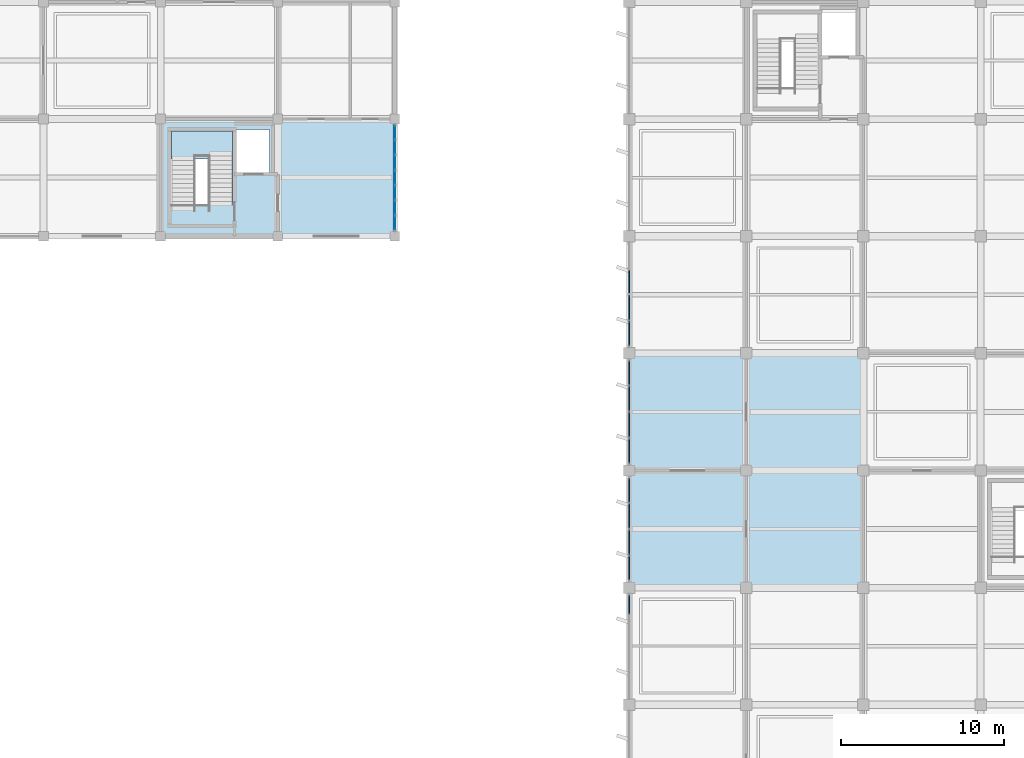
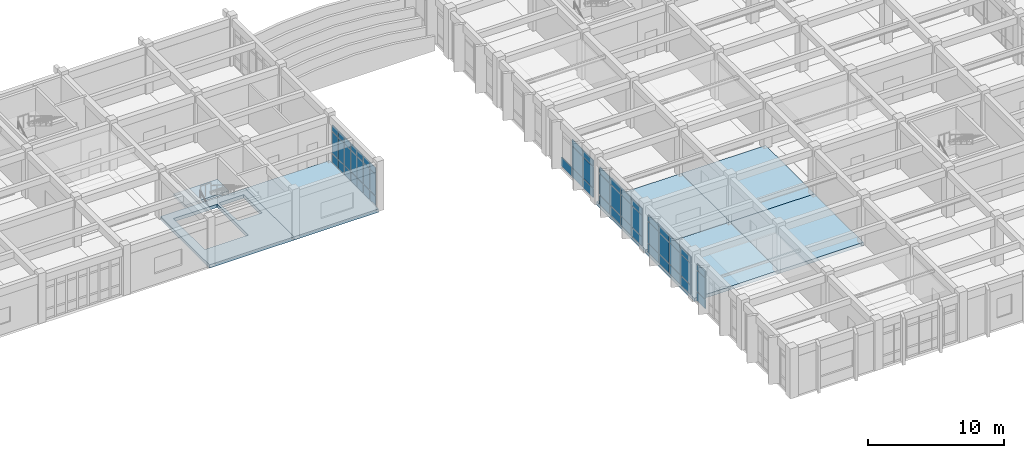
# One storey, part 47 of 81: 55 plates, 7 slabs, 6 elements without a shape of their own.
"""IFC4 building model written with IfcOpenShell, lengths in metres."""

from ifc_helpers import new_model, si_unit, direction, frame, origin, origin_2d, place, context, subcontext, project, spatial, polyline, rectangle, outline, extrude, material, layer, layer_set, type_object, element, aggregate, save


model = new_model("IFC4")

# Units and contexts
model_context = context("Model", 3, precision=1e-05, world=origin(), true_north=direction((0.0, 1.0)))
body_context = subcontext(model_context, "Body", "Model", "MODEL_VIEW")
ifc_project = project(units=[si_unit("LENGTHUNIT", "METRE"), si_unit("AREAUNIT", "SQUARE_METRE"), si_unit("VOLUMEUNIT", "CUBIC_METRE"), si_unit("PLANEANGLEUNIT", "RADIAN"), si_unit("MASSUNIT", "GRAM", prefix="KILO")], contexts=[model_context])

# Site, building, storey
site_placement = place(None, origin())
site = spatial("IfcSite", under=ifc_project, at=site_placement, CompositionType="ELEMENT")
building_placement = place(site_placement, origin())
building = spatial("IfcBuilding", under=site, at=building_placement, Name="Kavelor Marine Aquarium", CompositionType="ELEMENT")
storey_placement = place(building_placement, frame((0.0, 0.0, 4.679931640625)))
storey = spatial("IfcBuildingStorey", under=building, at=storey_placement, Name="L01", CompositionType="ELEMENT", Elevation=4.679931640625)

# Curtain wall, plates
ifc_material_1 = material(Name="Thermally Broken Aluminium and Low-E Glass", Category="aluminium")
ifc_layer_1 = layer(ifc_material_1, 0.156005859375)
ifc_layer_set_1 = layer_set([ifc_layer_1], Name="CW-SYS2")
curtain_wall_type_1 = type_object("IfcCurtainWallType", Name="CW-SYS2", PredefinedType="USERDEFINED", material=ifc_layer_set_1)
curtain_wall_1_placement = place(storey_placement, origin())
curtain_wall_1 = element("IfcCurtainWall", 1, at=curtain_wall_1_placement, inside=storey, type_object=curtain_wall_type_1, Name="cw:y:L01:14_12", ObjectType="Curtain Wall", PredefinedType="USERDEFINED")
ifc_material_2 = material(Name="Solar-Control Double Low-E Glazing", Category="glass")
ifc_layer_2 = layer(ifc_material_2, 0.052001953125)
ifc_layer_set_2 = layer_set([ifc_layer_2], Name="CWP-14")
plate_type_1 = type_object("IfcPlateType", Name="CWP-14", PredefinedType="CURTAIN_PANEL", material=ifc_layer_set_2)
plate_1_placement = place(storey_placement, frame((104.0, 90.0263671875, 0.06494140625), z_axis=(0.0, 0.0, 1.0), x_axis=(0.0, 1.0, 0.0)))
plate_1 = element("IfcPlate", 2, at=plate_1_placement, type_object=plate_type_1, Name="CW02 panel 1.1", PredefinedType="CURTAIN_PANEL", context=body_context, shape_type="SweptSolid", body=[
    extrude(rectangle(XDim=0.83251953125, YDim=0.052001953125, at=origin_2d()), origin(), (0.0, 0.0, 1.0), 0.802490234375),
])
plate_2_placement = place(storey_placement, frame((104.0, 90.0263671875, 0.9326171875), z_axis=(0.0, 0.0, 1.0), x_axis=(0.0, 1.0, 0.0)))
plate_2 = element("IfcPlate", 3, at=plate_2_placement, type_object=plate_type_1, Name="CW02 panel 1.2", PredefinedType="CURTAIN_PANEL", context=body_context, shape_type="SweptSolid", body=[
    extrude(rectangle(XDim=0.83251953125, YDim=0.052001953125, at=origin_2d()), origin(), (0.0, 0.0, 1.0), 1.89501953125),
])
plate_3_placement = place(storey_placement, frame((104.0, 90.0263671875, 2.892578125), z_axis=(0.0, 0.0, 1.0), x_axis=(0.0, 1.0, 0.0)))
plate_3 = element("IfcPlate", 4, at=plate_3_placement, type_object=plate_type_1, Name="CW02 panel 1.3", PredefinedType="CURTAIN_PANEL", context=body_context, shape_type="SweptSolid", body=[
    extrude(rectangle(XDim=0.83251953125, YDim=0.052001953125, at=origin_2d()), origin(), (0.0, 0.0, 1.0), 0.552490234375),
])
plate_4_placement = place(storey_placement, frame((104.0, 90.93994140625, 0.06494140625), z_axis=(0.0, 0.0, 1.0), x_axis=(0.0, 1.0, 0.0)))
plate_4 = element("IfcPlate", 5, at=plate_4_placement, type_object=plate_type_1, Name="CW02 panel 2.1", PredefinedType="CURTAIN_PANEL", context=body_context, shape_type="SweptSolid", body=[
    extrude(rectangle(XDim=0.864990234375, YDim=0.052001953125, at=origin_2d()), origin(), (0.0, 0.0, 1.0), 0.802490234375),
])
plate_5_placement = place(storey_placement, frame((104.0, 90.93994140625, 0.9326171875), z_axis=(0.0, 0.0, 1.0), x_axis=(0.0, 1.0, 0.0)))
plate_5 = element("IfcPlate", 6, at=plate_5_placement, type_object=plate_type_1, Name="CW02 panel 2.2", PredefinedType="CURTAIN_PANEL", context=body_context, shape_type="SweptSolid", body=[
    extrude(rectangle(XDim=0.864990234375, YDim=0.052001953125, at=origin_2d()), origin(), (0.0, 0.0, 1.0), 1.89501953125),
])
plate_6_placement = place(storey_placement, frame((104.0, 90.93994140625, 2.892578125), z_axis=(0.0, 0.0, 1.0), x_axis=(0.0, 1.0, 0.0)))
plate_6 = element("IfcPlate", 7, at=plate_6_placement, type_object=plate_type_1, Name="CW02 panel 2.3", PredefinedType="CURTAIN_PANEL", context=body_context, shape_type="SweptSolid", body=[
    extrude(rectangle(XDim=0.864990234375, YDim=0.052001953125, at=origin_2d()), origin(), (0.0, 0.0, 1.0), 0.552490234375),
])
plate_7_placement = place(storey_placement, frame((104.0, 91.8701171875, 0.06494140625), z_axis=(0.0, 0.0, 1.0), x_axis=(0.0, 1.0, 0.0)))
plate_7 = element("IfcPlate", 8, at=plate_7_placement, type_object=plate_type_1, Name="CW02 panel 3.1", PredefinedType="CURTAIN_PANEL", context=body_context, shape_type="SweptSolid", body=[
    extrude(rectangle(XDim=0.864990234375, YDim=0.052001953125, at=origin_2d()), origin(), (0.0, 0.0, 1.0), 0.802490234375),
])
plate_8_placement = place(storey_placement, frame((104.0, 91.8701171875, 0.9326171875), z_axis=(0.0, 0.0, 1.0), x_axis=(0.0, 1.0, 0.0)))
plate_8 = element("IfcPlate", 9, at=plate_8_placement, type_object=plate_type_1, Name="CW02 panel 3.2", PredefinedType="CURTAIN_PANEL", context=body_context, shape_type="SweptSolid", body=[
    extrude(rectangle(XDim=0.864990234375, YDim=0.052001953125, at=origin_2d()), origin(), (0.0, 0.0, 1.0), 1.89501953125),
])
plate_9_placement = place(storey_placement, frame((104.0, 91.8701171875, 2.892578125), z_axis=(0.0, 0.0, 1.0), x_axis=(0.0, 1.0, 0.0)))
plate_9 = element("IfcPlate", 10, at=plate_9_placement, type_object=plate_type_1, Name="CW02 panel 3.3", PredefinedType="CURTAIN_PANEL", context=body_context, shape_type="SweptSolid", body=[
    extrude(rectangle(XDim=0.864990234375, YDim=0.052001953125, at=origin_2d()), origin(), (0.0, 0.0, 1.0), 0.552490234375),
])
plate_10_placement = place(storey_placement, frame((104.0, 92.800048828125, 0.06494140625), z_axis=(0.0, 0.0, 1.0), x_axis=(0.0, 1.0, 0.0)))
plate_10 = element("IfcPlate", 11, at=plate_10_placement, type_object=plate_type_1, Name="CW02 panel 4.1", PredefinedType="CURTAIN_PANEL", context=body_context, shape_type="SweptSolid", body=[
    extrude(rectangle(XDim=0.864990234375, YDim=0.052001953125, at=origin_2d()), origin(), (0.0, 0.0, 1.0), 0.802490234375),
])
plate_11_placement = place(storey_placement, frame((104.0, 92.800048828125, 0.9326171875), z_axis=(0.0, 0.0, 1.0), x_axis=(0.0, 1.0, 0.0)))
plate_11 = element("IfcPlate", 12, at=plate_11_placement, type_object=plate_type_1, Name="CW02 panel 4.2", PredefinedType="CURTAIN_PANEL", context=body_context, shape_type="SweptSolid", body=[
    extrude(rectangle(XDim=0.864990234375, YDim=0.052001953125, at=origin_2d()), origin(), (0.0, 0.0, 1.0), 1.89501953125),
])
plate_12_placement = place(storey_placement, frame((104.0, 92.800048828125, 2.892578125), z_axis=(0.0, 0.0, 1.0), x_axis=(0.0, 1.0, 0.0)))
plate_12 = element("IfcPlate", 13, at=plate_12_placement, type_object=plate_type_1, Name="CW02 panel 4.3", PredefinedType="CURTAIN_PANEL", context=body_context, shape_type="SweptSolid", body=[
    extrude(rectangle(XDim=0.864990234375, YDim=0.052001953125, at=origin_2d()), origin(), (0.0, 0.0, 1.0), 0.552490234375),
])
plate_13_placement = place(storey_placement, frame((104.0, 93.72998046875, 0.06494140625), z_axis=(0.0, 0.0, 1.0), x_axis=(0.0, 1.0, 0.0)))
plate_13 = element("IfcPlate", 14, at=plate_13_placement, type_object=plate_type_1, Name="CW02 panel 5.1", PredefinedType="CURTAIN_PANEL", context=body_context, shape_type="SweptSolid", body=[
    extrude(rectangle(XDim=0.864990234375, YDim=0.052001953125, at=origin_2d()), origin(), (0.0, 0.0, 1.0), 0.802490234375),
])
plate_14_placement = place(storey_placement, frame((104.0, 93.72998046875, 0.9326171875), z_axis=(0.0, 0.0, 1.0), x_axis=(0.0, 1.0, 0.0)))
plate_14 = element("IfcPlate", 15, at=plate_14_placement, type_object=plate_type_1, Name="CW02 panel 5.2", PredefinedType="CURTAIN_PANEL", context=body_context, shape_type="SweptSolid", body=[
    extrude(rectangle(XDim=0.864990234375, YDim=0.052001953125, at=origin_2d()), origin(), (0.0, 0.0, 1.0), 1.89501953125),
])
plate_15_placement = place(storey_placement, frame((104.0, 93.72998046875, 2.892578125), z_axis=(0.0, 0.0, 1.0), x_axis=(0.0, 1.0, 0.0)))
plate_15 = element("IfcPlate", 16, at=plate_15_placement, type_object=plate_type_1, Name="CW02 panel 5.3", PredefinedType="CURTAIN_PANEL", context=body_context, shape_type="SweptSolid", body=[
    extrude(rectangle(XDim=0.864990234375, YDim=0.052001953125, at=origin_2d()), origin(), (0.0, 0.0, 1.0), 0.552490234375),
])
plate_16_placement = place(storey_placement, frame((104.0, 94.659912109375, 0.06494140625), z_axis=(0.0, 0.0, 1.0), x_axis=(0.0, 1.0, 0.0)))
plate_16 = element("IfcPlate", 17, at=plate_16_placement, type_object=plate_type_1, Name="CW02 panel 6.1", PredefinedType="CURTAIN_PANEL", context=body_context, shape_type="SweptSolid", body=[
    extrude(rectangle(XDim=0.864990234375, YDim=0.052001953125, at=origin_2d()), origin(), (0.0, 0.0, 1.0), 0.802490234375),
])
plate_17_placement = place(storey_placement, frame((104.0, 94.659912109375, 0.9326171875), z_axis=(0.0, 0.0, 1.0), x_axis=(0.0, 1.0, 0.0)))
plate_17 = element("IfcPlate", 18, at=plate_17_placement, type_object=plate_type_1, Name="CW02 panel 6.2", PredefinedType="CURTAIN_PANEL", context=body_context, shape_type="SweptSolid", body=[
    extrude(rectangle(XDim=0.864990234375, YDim=0.052001953125, at=origin_2d()), origin(), (0.0, 0.0, 1.0), 1.89501953125),
])
plate_18_placement = place(storey_placement, frame((104.0, 94.659912109375, 2.892578125), z_axis=(0.0, 0.0, 1.0), x_axis=(0.0, 1.0, 0.0)))
plate_18 = element("IfcPlate", 19, at=plate_18_placement, type_object=plate_type_1, Name="CW02 panel 6.3", PredefinedType="CURTAIN_PANEL", context=body_context, shape_type="SweptSolid", body=[
    extrude(rectangle(XDim=0.864990234375, YDim=0.052001953125, at=origin_2d()), origin(), (0.0, 0.0, 1.0), 0.552490234375),
])
plate_19_placement = place(storey_placement, frame((104.0, 95.57373046875, 0.06494140625), z_axis=(0.0, 0.0, 1.0), x_axis=(0.0, 1.0, 0.0)))
plate_19 = element("IfcPlate", 20, at=plate_19_placement, type_object=plate_type_1, Name="CW02 panel 7.1", PredefinedType="CURTAIN_PANEL", context=body_context, shape_type="SweptSolid", body=[
    extrude(rectangle(XDim=0.83251953125, YDim=0.052001953125, at=origin_2d()), origin(), (0.0, 0.0, 1.0), 0.802490234375),
])
plate_20_placement = place(storey_placement, frame((104.0, 95.57373046875, 0.9326171875), z_axis=(0.0, 0.0, 1.0), x_axis=(0.0, 1.0, 0.0)))
plate_20 = element("IfcPlate", 21, at=plate_20_placement, type_object=plate_type_1, Name="CW02 panel 7.2", PredefinedType="CURTAIN_PANEL", context=body_context, shape_type="SweptSolid", body=[
    extrude(rectangle(XDim=0.83251953125, YDim=0.052001953125, at=origin_2d()), origin(), (0.0, 0.0, 1.0), 1.89501953125),
])
plate_21_placement = place(storey_placement, frame((104.0, 95.57373046875, 2.892578125), z_axis=(0.0, 0.0, 1.0), x_axis=(0.0, 1.0, 0.0)))
plate_21 = element("IfcPlate", 22, at=plate_21_placement, type_object=plate_type_1, Name="CW02 panel 7.3", PredefinedType="CURTAIN_PANEL", context=body_context, shape_type="SweptSolid", body=[
    extrude(rectangle(XDim=0.83251953125, YDim=0.052001953125, at=origin_2d()), origin(), (0.0, 0.0, 1.0), 0.552490234375),
])
aggregate(curtain_wall_1, [plate_1, plate_2, plate_3, plate_4, plate_5, plate_6, plate_7, plate_8, plate_9, plate_10, plate_11, plate_12, plate_13, plate_14, plate_15, plate_16, plate_17, plate_18, plate_19, plate_20, plate_21])

ifc_material_3 = material(Name="Thermally Broken Aluminium and Low-E Glass", Category="aluminium")
ifc_layer_3 = layer(ifc_material_3, 0.2119140625)
ifc_layer_set_3 = layer_set([ifc_layer_3], Name="CW-SYS9")
curtain_wall_type_2 = type_object("IfcCurtainWallType", Name="CW-SYS9", PredefinedType="USERDEFINED", material=ifc_layer_set_3)
curtain_wall_2_placement = place(storey_placement, origin())
curtain_wall_2 = element("IfcCurtainWall", 23, at=curtain_wall_2_placement, inside=storey, type_object=curtain_wall_type_2, Name="cw:y:L01:16_08", ObjectType="Curtain Wall", PredefinedType="USERDEFINED")
ifc_material_4 = material(Name="Solar-Control Double Low-E Glazing", Category="glass")
ifc_layer_4 = layer(ifc_material_4, 0.06591796875)
ifc_layer_set_4 = layer_set([ifc_layer_4], Name="CWP-21")
plate_type_2 = type_object("IfcPlateType", Name="CWP-21", PredefinedType="CURTAIN_PANEL", material=ifc_layer_set_4)
plate_22_placement = place(storey_placement, frame((118.39990234375, 66.549072265625, 0.06494140625), z_axis=(0.0, 0.0, 1.0), x_axis=(0.0, -1.0, 0.0)))
plate_22 = element("IfcPlate", 24, at=plate_22_placement, type_object=plate_type_2, Name="CW09 panel 1.1", PredefinedType="CURTAIN_PANEL", context=body_context, shape_type="SweptSolid", body=[
    extrude(rectangle(XDim=1.19189453125, YDim=0.06591796875, at=origin_2d()), origin(), (0.0, 0.0, 1.0), 0.802490234375),
])
plate_23_placement = place(storey_placement, frame((118.39990234375, 66.549072265625, 0.9326171875), z_axis=(0.0, 0.0, 1.0), x_axis=(0.0, -1.0, 0.0)))
plate_23 = element("IfcPlate", 25, at=plate_23_placement, type_object=plate_type_2, Name="CW09 panel 1.2", PredefinedType="CURTAIN_PANEL", context=body_context, shape_type="SweptSolid", body=[
    extrude(rectangle(XDim=1.19189453125, YDim=0.06591796875, at=origin_2d()), origin(), (0.0, 0.0, 1.0), 1.875),
])
plate_24_placement = place(storey_placement, frame((118.39990234375, 66.549072265625, 2.87255859375), z_axis=(0.0, 0.0, 1.0), x_axis=(0.0, -1.0, 0.0)))
plate_24 = element("IfcPlate", 26, at=plate_24_placement, type_object=plate_type_2, Name="CW09 panel 1.3", PredefinedType="CURTAIN_PANEL", context=body_context, shape_type="SweptSolid", body=[
    extrude(rectangle(XDim=1.19189453125, YDim=0.06591796875, at=origin_2d()), origin(), (0.0, 0.0, 1.0), 0.552490234375),
])
aggregate(curtain_wall_2, [plate_22, plate_23, plate_24])

ifc_material_5 = material(Name="Thermally Broken Aluminium and Low-E Glass", Category="aluminium")
ifc_layer_5 = layer(ifc_material_5, 0.219970703125)
ifc_layer_set_5 = layer_set([ifc_layer_5], Name="CW-SYS10")
curtain_wall_type_3 = type_object("IfcCurtainWallType", Name="CW-SYS10", PredefinedType="USERDEFINED", material=ifc_layer_set_5)
curtain_wall_3_placement = place(storey_placement, origin())
curtain_wall_3 = element("IfcCurtainWall", 27, at=curtain_wall_3_placement, inside=storey, type_object=curtain_wall_type_3, Name="cw:y:L01:16_09", ObjectType="Curtain Wall", PredefinedType="USERDEFINED")
ifc_material_6 = material(Name="Solar-Control Double Low-E Glazing", Category="glass")
ifc_layer_6 = layer(ifc_material_6, 0.068115234375)
ifc_layer_set_6 = layer_set([ifc_layer_6], Name="CWP-22")
plate_type_3 = type_object("IfcPlateType", Name="CWP-22", PredefinedType="CURTAIN_PANEL", material=ifc_layer_set_6)
plate_25_placement = place(storey_placement, frame((118.39990234375, 73.5849609375, 0.06005859375), z_axis=(0.0, 0.0, 1.0), x_axis=(0.0, -1.0, 0.0)))
plate_25 = element("IfcPlate", 28, at=plate_25_placement, type_object=plate_type_3, Name="CW10 panel 1.1", PredefinedType="CURTAIN_PANEL", context=body_context, shape_type="SweptSolid", body=[
    extrude(rectangle(XDim=1.489990234375, YDim=0.068115234375, at=origin_2d()), origin(), (0.0, 0.0, 1.0), 0.81005859375),
])
plate_26_placement = place(storey_placement, frame((118.39990234375, 73.5849609375, 0.93017578125), z_axis=(0.0, 0.0, 1.0), x_axis=(0.0, -1.0, 0.0)))
plate_26 = element("IfcPlate", 29, at=plate_26_placement, type_object=plate_type_3, Name="CW10 panel 1.2", PredefinedType="CURTAIN_PANEL", context=body_context, shape_type="SweptSolid", body=[
    extrude(rectangle(XDim=1.489990234375, YDim=0.068115234375, at=origin_2d()), origin(), (0.0, 0.0, 1.0), 1.89990234375),
])
plate_27_placement = place(storey_placement, frame((118.39990234375, 73.5849609375, 2.89013671875), z_axis=(0.0, 0.0, 1.0), x_axis=(0.0, -1.0, 0.0)))
plate_27 = element("IfcPlate", 30, at=plate_27_placement, type_object=plate_type_3, Name="CW10 panel 1.3", PredefinedType="CURTAIN_PANEL", context=body_context, shape_type="SweptSolid", body=[
    extrude(rectangle(XDim=1.489990234375, YDim=0.068115234375, at=origin_2d()), origin(), (0.0, 0.0, 1.0), 0.56005859375),
])
plate_28_placement = place(storey_placement, frame((118.39990234375, 72.001220703125, 0.06005859375), z_axis=(0.0, 0.0, 1.0), x_axis=(0.0, -1.0, 0.0)))
plate_28 = element("IfcPlate", 31, at=plate_28_placement, type_object=plate_type_3, Name="CW10 panel 2.1", PredefinedType="CURTAIN_PANEL", context=body_context, shape_type="SweptSolid", body=[
    extrude(rectangle(XDim=1.527587890625, YDim=0.068115234375, at=origin_2d()), origin(), (0.0, 0.0, 1.0), 0.81005859375),
])
plate_29_placement = place(storey_placement, frame((118.39990234375, 72.001220703125, 0.93017578125), z_axis=(0.0, 0.0, 1.0), x_axis=(0.0, -1.0, 0.0)))
plate_29 = element("IfcPlate", 32, at=plate_29_placement, type_object=plate_type_3, Name="CW10 panel 2.2", PredefinedType="CURTAIN_PANEL", context=body_context, shape_type="SweptSolid", body=[
    extrude(rectangle(XDim=1.527587890625, YDim=0.068115234375, at=origin_2d()), origin(), (0.0, 0.0, 1.0), 1.89990234375),
])
plate_30_placement = place(storey_placement, frame((118.39990234375, 72.001220703125, 2.89013671875), z_axis=(0.0, 0.0, 1.0), x_axis=(0.0, -1.0, 0.0)))
plate_30 = element("IfcPlate", 33, at=plate_30_placement, type_object=plate_type_3, Name="CW10 panel 2.3", PredefinedType="CURTAIN_PANEL", context=body_context, shape_type="SweptSolid", body=[
    extrude(rectangle(XDim=1.527587890625, YDim=0.068115234375, at=origin_2d()), origin(), (0.0, 0.0, 1.0), 0.56005859375),
])
plate_31_placement = place(storey_placement, frame((118.39990234375, 70.398681640625, 0.06005859375), z_axis=(0.0, 0.0, 1.0), x_axis=(0.0, -1.0, 0.0)))
plate_31 = element("IfcPlate", 34, at=plate_31_placement, type_object=plate_type_3, Name="CW10 panel 3.1", PredefinedType="CURTAIN_PANEL", context=body_context, shape_type="SweptSolid", body=[
    extrude(rectangle(XDim=1.527587890625, YDim=0.068115234375, at=origin_2d()), origin(), (0.0, 0.0, 1.0), 0.81005859375),
])
plate_32_placement = place(storey_placement, frame((118.39990234375, 70.398681640625, 0.93017578125), z_axis=(0.0, 0.0, 1.0), x_axis=(0.0, -1.0, 0.0)))
plate_32 = element("IfcPlate", 35, at=plate_32_placement, type_object=plate_type_3, Name="CW10 panel 3.2", PredefinedType="CURTAIN_PANEL", context=body_context, shape_type="SweptSolid", body=[
    extrude(rectangle(XDim=1.527587890625, YDim=0.068115234375, at=origin_2d()), origin(), (0.0, 0.0, 1.0), 1.89990234375),
])
plate_33_placement = place(storey_placement, frame((118.39990234375, 70.398681640625, 2.89013671875), z_axis=(0.0, 0.0, 1.0), x_axis=(0.0, -1.0, 0.0)))
plate_33 = element("IfcPlate", 36, at=plate_33_placement, type_object=plate_type_3, Name="CW10 panel 3.3", PredefinedType="CURTAIN_PANEL", context=body_context, shape_type="SweptSolid", body=[
    extrude(rectangle(XDim=1.527587890625, YDim=0.068115234375, at=origin_2d()), origin(), (0.0, 0.0, 1.0), 0.56005859375),
])
plate_34_placement = place(storey_placement, frame((118.39990234375, 68.81494140625, 0.06005859375), z_axis=(0.0, 0.0, 1.0), x_axis=(0.0, -1.0, 0.0)))
plate_34 = element("IfcPlate", 37, at=plate_34_placement, type_object=plate_type_3, Name="CW10 panel 4.1", PredefinedType="CURTAIN_PANEL", context=body_context, shape_type="SweptSolid", body=[
    extrude(rectangle(XDim=1.489990234375, YDim=0.068115234375, at=origin_2d()), origin(), (0.0, 0.0, 1.0), 0.81005859375),
])
plate_35_placement = place(storey_placement, frame((118.39990234375, 68.81494140625, 0.93017578125), z_axis=(0.0, 0.0, 1.0), x_axis=(0.0, -1.0, 0.0)))
plate_35 = element("IfcPlate", 38, at=plate_35_placement, type_object=plate_type_3, Name="CW10 panel 4.2", PredefinedType="CURTAIN_PANEL", context=body_context, shape_type="SweptSolid", body=[
    extrude(rectangle(XDim=1.489990234375, YDim=0.068115234375, at=origin_2d()), origin(), (0.0, 0.0, 1.0), 1.89990234375),
])
plate_36_placement = place(storey_placement, frame((118.39990234375, 68.81494140625, 2.89013671875), z_axis=(0.0, 0.0, 1.0), x_axis=(0.0, -1.0, 0.0)))
plate_36 = element("IfcPlate", 39, at=plate_36_placement, type_object=plate_type_3, Name="CW10 panel 4.3", PredefinedType="CURTAIN_PANEL", context=body_context, shape_type="SweptSolid", body=[
    extrude(rectangle(XDim=1.489990234375, YDim=0.068115234375, at=origin_2d()), origin(), (0.0, 0.0, 1.0), 0.56005859375),
])
aggregate(curtain_wall_3, [plate_25, plate_26, plate_27, plate_28, plate_29, plate_30, plate_31, plate_32, plate_33, plate_34, plate_35, plate_36])

ifc_material_7 = material(Name="Thermally Broken Aluminium and Low-E Glass", Category="aluminium")
ifc_layer_7 = layer(ifc_material_7, 0.22802734375)
ifc_layer_set_7 = layer_set([ifc_layer_7], Name="CW-SYS11")
curtain_wall_type_4 = type_object("IfcCurtainWallType", Name="CW-SYS11", PredefinedType="USERDEFINED", material=ifc_layer_set_7)
curtain_wall_4_placement = place(storey_placement, origin())
curtain_wall_4 = element("IfcCurtainWall", 40, at=curtain_wall_4_placement, inside=storey, type_object=curtain_wall_type_4, Name="cw:y:L01:16_10", ObjectType="Curtain Wall", PredefinedType="USERDEFINED")
ifc_material_8 = material(Name="Solar-Control Double Low-E Glazing", Category="glass")
ifc_layer_8 = layer(ifc_material_8, 0.070068359375)
ifc_layer_set_8 = layer_set([ifc_layer_8], Name="CWP-23")
plate_type_4 = type_object("IfcPlateType", Name="CWP-23", PredefinedType="CURTAIN_PANEL", material=ifc_layer_set_8)
plate_37_placement = place(storey_placement, frame((118.39990234375, 80.78759765625, 0.06005859375), z_axis=(0.0, 0.0, 1.0), x_axis=(0.0, -1.0, 0.0)))
plate_37 = element("IfcPlate", 41, at=plate_37_placement, type_object=plate_type_4, Name="CW11 panel 1.1", PredefinedType="CURTAIN_PANEL", context=body_context, shape_type="SweptSolid", body=[
    extrude(rectangle(XDim=1.5048828125, YDim=0.070068359375, at=origin_2d()), origin(), (0.0, 0.0, 1.0), 0.81005859375),
])
plate_38_placement = place(storey_placement, frame((118.39990234375, 80.78759765625, 0.93017578125), z_axis=(0.0, 0.0, 1.0), x_axis=(0.0, -1.0, 0.0)))
plate_38 = element("IfcPlate", 42, at=plate_38_placement, type_object=plate_type_4, Name="CW11 panel 1.2", PredefinedType="CURTAIN_PANEL", context=body_context, shape_type="SweptSolid", body=[
    extrude(rectangle(XDim=1.5048828125, YDim=0.070068359375, at=origin_2d()), origin(), (0.0, 0.0, 1.0), 1.8798828125),
])
plate_39_placement = place(storey_placement, frame((118.39990234375, 80.78759765625, 2.8701171875), z_axis=(0.0, 0.0, 1.0), x_axis=(0.0, -1.0, 0.0)))
plate_39 = element("IfcPlate", 43, at=plate_39_placement, type_object=plate_type_4, Name="CW11 panel 1.3", PredefinedType="CURTAIN_PANEL", context=body_context, shape_type="SweptSolid", body=[
    extrude(rectangle(XDim=1.5048828125, YDim=0.070068359375, at=origin_2d()), origin(), (0.0, 0.0, 1.0), 0.56005859375),
])
plate_40_placement = place(storey_placement, frame((118.39990234375, 79.201171875, 0.06005859375), z_axis=(0.0, 0.0, 1.0), x_axis=(0.0, -1.0, 0.0)))
plate_40 = element("IfcPlate", 44, at=plate_40_placement, type_object=plate_type_4, Name="CW11 panel 2.1", PredefinedType="CURTAIN_PANEL", context=body_context, shape_type="SweptSolid", body=[
    extrude(rectangle(XDim=1.53759765625, YDim=0.070068359375, at=origin_2d()), origin(), (0.0, 0.0, 1.0), 0.81005859375),
])
plate_41_placement = place(storey_placement, frame((118.39990234375, 79.201171875, 0.93017578125), z_axis=(0.0, 0.0, 1.0), x_axis=(0.0, -1.0, 0.0)))
plate_41 = element("IfcPlate", 45, at=plate_41_placement, type_object=plate_type_4, Name="CW11 panel 2.2", PredefinedType="CURTAIN_PANEL", context=body_context, shape_type="SweptSolid", body=[
    extrude(rectangle(XDim=1.53759765625, YDim=0.070068359375, at=origin_2d()), origin(), (0.0, 0.0, 1.0), 1.8798828125),
])
plate_42_placement = place(storey_placement, frame((118.39990234375, 79.201171875, 2.8701171875), z_axis=(0.0, 0.0, 1.0), x_axis=(0.0, -1.0, 0.0)))
plate_42 = element("IfcPlate", 46, at=plate_42_placement, type_object=plate_type_4, Name="CW11 panel 2.3", PredefinedType="CURTAIN_PANEL", context=body_context, shape_type="SweptSolid", body=[
    extrude(rectangle(XDim=1.53759765625, YDim=0.070068359375, at=origin_2d()), origin(), (0.0, 0.0, 1.0), 0.56005859375),
])
plate_43_placement = place(storey_placement, frame((118.39990234375, 77.5986328125, 0.06005859375), z_axis=(0.0, 0.0, 1.0), x_axis=(0.0, -1.0, 0.0)))
plate_43 = element("IfcPlate", 47, at=plate_43_placement, type_object=plate_type_4, Name="CW11 panel 3.1", PredefinedType="CURTAIN_PANEL", context=body_context, shape_type="SweptSolid", body=[
    extrude(rectangle(XDim=1.53759765625, YDim=0.070068359375, at=origin_2d()), origin(), (0.0, 0.0, 1.0), 0.81005859375),
])
plate_44_placement = place(storey_placement, frame((118.39990234375, 77.5986328125, 0.93017578125), z_axis=(0.0, 0.0, 1.0), x_axis=(0.0, -1.0, 0.0)))
plate_44 = element("IfcPlate", 48, at=plate_44_placement, type_object=plate_type_4, Name="CW11 panel 3.2", PredefinedType="CURTAIN_PANEL", context=body_context, shape_type="SweptSolid", body=[
    extrude(rectangle(XDim=1.53759765625, YDim=0.070068359375, at=origin_2d()), origin(), (0.0, 0.0, 1.0), 1.8798828125),
])
plate_45_placement = place(storey_placement, frame((118.39990234375, 77.5986328125, 2.8701171875), z_axis=(0.0, 0.0, 1.0), x_axis=(0.0, -1.0, 0.0)))
plate_45 = element("IfcPlate", 49, at=plate_45_placement, type_object=plate_type_4, Name="CW11 panel 3.3", PredefinedType="CURTAIN_PANEL", context=body_context, shape_type="SweptSolid", body=[
    extrude(rectangle(XDim=1.53759765625, YDim=0.070068359375, at=origin_2d()), origin(), (0.0, 0.0, 1.0), 0.56005859375),
])
plate_46_placement = place(storey_placement, frame((118.39990234375, 76.012451171875, 0.06005859375), z_axis=(0.0, 0.0, 1.0), x_axis=(0.0, -1.0, 0.0)))
plate_46 = element("IfcPlate", 50, at=plate_46_placement, type_object=plate_type_4, Name="CW11 panel 4.1", PredefinedType="CURTAIN_PANEL", context=body_context, shape_type="SweptSolid", body=[
    extrude(rectangle(XDim=1.5048828125, YDim=0.070068359375, at=origin_2d()), origin(), (0.0, 0.0, 1.0), 0.81005859375),
])
plate_47_placement = place(storey_placement, frame((118.39990234375, 76.012451171875, 0.93017578125), z_axis=(0.0, 0.0, 1.0), x_axis=(0.0, -1.0, 0.0)))
plate_47 = element("IfcPlate", 51, at=plate_47_placement, type_object=plate_type_4, Name="CW11 panel 4.2", PredefinedType="CURTAIN_PANEL", context=body_context, shape_type="SweptSolid", body=[
    extrude(rectangle(XDim=1.5048828125, YDim=0.070068359375, at=origin_2d()), origin(), (0.0, 0.0, 1.0), 1.8798828125),
])
plate_48_placement = place(storey_placement, frame((118.39990234375, 76.012451171875, 2.8701171875), z_axis=(0.0, 0.0, 1.0), x_axis=(0.0, -1.0, 0.0)))
plate_48 = element("IfcPlate", 52, at=plate_48_placement, type_object=plate_type_4, Name="CW11 panel 4.3", PredefinedType="CURTAIN_PANEL", context=body_context, shape_type="SweptSolid", body=[
    extrude(rectangle(XDim=1.5048828125, YDim=0.070068359375, at=origin_2d()), origin(), (0.0, 0.0, 1.0), 0.56005859375),
])
aggregate(curtain_wall_4, [plate_37, plate_38, plate_39, plate_40, plate_41, plate_42, plate_43, plate_44, plate_45, plate_46, plate_47, plate_48])

ifc_material_9 = material(Name="Thermally Broken Aluminium and Low-E Glass", Category="aluminium")
ifc_layer_9 = layer(ifc_material_9, 0.236083984375)
ifc_layer_set_9 = layer_set([ifc_layer_9], Name="CW-SYS12")
curtain_wall_type_5 = type_object("IfcCurtainWallType", Name="CW-SYS12", PredefinedType="USERDEFINED", material=ifc_layer_set_9)
curtain_wall_5_placement = place(storey_placement, origin())
curtain_wall_5 = element("IfcCurtainWall", 53, at=curtain_wall_5_placement, inside=storey, type_object=curtain_wall_type_5, Name="cw:y:L01:16_11", ObjectType="Curtain Wall", PredefinedType="USERDEFINED")
ifc_material_10 = material(Name="Solar-Control Double Low-E Glazing", Category="glass")
ifc_layer_10 = layer(ifc_material_10, 0.072021484375)
ifc_layer_set_10 = layer_set([ifc_layer_10], Name="CWP-24")
plate_type_5 = type_object("IfcPlateType", Name="CWP-24", PredefinedType="CURTAIN_PANEL", material=ifc_layer_set_10)
plate_49_placement = place(storey_placement, frame((118.39990234375, 86.4013671875, 0.074951171875), z_axis=(0.0, 0.0, 1.0), x_axis=(0.0, -1.0, 0.0)))
plate_49 = element("IfcPlate", 54, at=plate_49_placement, type_object=plate_type_5, Name="CW12 panel 2.1", PredefinedType="CURTAIN_PANEL", context=body_context, shape_type="SweptSolid", body=[
    extrude(rectangle(XDim=1.54248046875, YDim=0.072021484375, at=origin_2d()), origin(), (0.0, 0.0, 1.0), 0.78759765625),
])
plate_50_placement = place(storey_placement, frame((118.39990234375, 84.798828125, 0.074951171875), z_axis=(0.0, 0.0, 1.0), x_axis=(0.0, -1.0, 0.0)))
plate_50 = element("IfcPlate", 55, at=plate_50_placement, type_object=plate_type_5, Name="CW12 panel 3.1", PredefinedType="CURTAIN_PANEL", context=body_context, shape_type="SweptSolid", body=[
    extrude(rectangle(XDim=1.54248046875, YDim=0.072021484375, at=origin_2d()), origin(), (0.0, 0.0, 1.0), 0.78759765625),
])
plate_51_placement = place(storey_placement, frame((118.39990234375, 84.798828125, 0.9375), z_axis=(0.0, 0.0, 1.0), x_axis=(0.0, -1.0, 0.0)))
plate_51 = element("IfcPlate", 56, at=plate_51_placement, type_object=plate_type_5, Name="CW12 panel 3.2", PredefinedType="CURTAIN_PANEL", context=body_context, shape_type="SweptSolid", body=[
    extrude(rectangle(XDim=1.54248046875, YDim=0.072021484375, at=origin_2d()), origin(), (0.0, 0.0, 1.0), 1.885009765625),
])
plate_52_placement = place(storey_placement, frame((118.39990234375, 84.798828125, 2.8974609375), z_axis=(0.0, 0.0, 1.0), x_axis=(0.0, -1.0, 0.0)))
plate_52 = element("IfcPlate", 57, at=plate_52_placement, type_object=plate_type_5, Name="CW12 panel 3.3", PredefinedType="CURTAIN_PANEL", context=body_context, shape_type="SweptSolid", body=[
    extrude(rectangle(XDim=1.54248046875, YDim=0.072021484375, at=origin_2d()), origin(), (0.0, 0.0, 1.0), 0.53759765625),
])
plate_53_placement = place(storey_placement, frame((118.39990234375, 83.211181640625, 0.074951171875), z_axis=(0.0, 0.0, 1.0), x_axis=(0.0, -1.0, 0.0)))
plate_53 = element("IfcPlate", 58, at=plate_53_placement, type_object=plate_type_5, Name="CW12 panel 4.1", PredefinedType="CURTAIN_PANEL", context=body_context, shape_type="SweptSolid", body=[
    extrude(rectangle(XDim=1.512451171875, YDim=0.072021484375, at=origin_2d()), origin(), (0.0, 0.0, 1.0), 0.78759765625),
])
plate_54_placement = place(storey_placement, frame((118.39990234375, 83.211181640625, 0.9375), z_axis=(0.0, 0.0, 1.0), x_axis=(0.0, -1.0, 0.0)))
plate_54 = element("IfcPlate", 59, at=plate_54_placement, type_object=plate_type_5, Name="CW12 panel 4.2", PredefinedType="CURTAIN_PANEL", context=body_context, shape_type="SweptSolid", body=[
    extrude(rectangle(XDim=1.512451171875, YDim=0.072021484375, at=origin_2d()), origin(), (0.0, 0.0, 1.0), 1.885009765625),
])
plate_55_placement = place(storey_placement, frame((118.39990234375, 83.211181640625, 2.8974609375), z_axis=(0.0, 0.0, 1.0), x_axis=(0.0, -1.0, 0.0)))
plate_55 = element("IfcPlate", 60, at=plate_55_placement, type_object=plate_type_5, Name="CW12 panel 4.3", PredefinedType="CURTAIN_PANEL", context=body_context, shape_type="SweptSolid", body=[
    extrude(rectangle(XDim=1.512451171875, YDim=0.072021484375, at=origin_2d()), origin(), (0.0, 0.0, 1.0), 0.53759765625),
])
aggregate(curtain_wall_5, [plate_49, plate_50, plate_51, plate_52, plate_53, plate_54, plate_55])

# Stair, slab
ifc_material_11 = material(Name="Concrete C40/50", Category="concrete")
stair_type = type_object("IfcStairType", Name="ST-T2", PredefinedType="HALF_TURN_STAIR", material=ifc_material_11)
stair_placement = place(storey_placement, origin())
stair = element("IfcStair", 61, at=stair_placement, inside=storey, type_object=stair_type, Name="Exit Stair ST07 (L01)", PredefinedType="HALF_TURN_STAIR")
ifc_material_12 = material(Name="Concrete C40/50", Category="concrete")
ifc_layer_11 = layer(ifc_material_12, 0.199951171875)
ifc_layer_set_11 = layer_set([ifc_layer_11], Name="LND-T2")
slab_type_1 = type_object("IfcSlabType", Name="LND-T2", PredefinedType="LANDING", material=ifc_layer_set_11)
slab_1_placement = place(storey_placement, frame((0.0, 0.0, 2.050048828125)))
slab_1 = element("IfcSlab", 62, at=slab_1_placement, type_object=slab_type_1, Name="ST07 landing 1", PredefinedType="LANDING", context=body_context, shape_type="SweptSolid", body=[
    extrude(outline(polyline([(90.260009765625, 93.93994140625), (94.02001953125, 93.93994140625), (94.02001953125, 95.659912109375), (90.260009765625, 95.659912109375), (90.260009765625, 93.93994140625)])), origin(), (0.0, 0.0, 1.0), 0.199951171875),
])
aggregate(stair, [slab_1])

# Slabs
ifc_material_13 = material(Name="Concrete C40/50", Category="concrete")
ifc_layer_12 = layer(ifc_material_13, 0.300048828125)
ifc_layer_set_12 = layer_set([ifc_layer_12], Name="SL-FL1")
slab_type_2 = type_object("IfcSlabType", Name="SL-FL1", PredefinedType="FLOOR", material=ifc_layer_set_12)
slab_2_placement = place(storey_placement, frame((0.0, 0.0, -0.300048828125)))
element("IfcSlab", 63, at=slab_2_placement, inside=storey, type_object=slab_type_2, Name="slab:L01:12_12", PredefinedType="FLOOR", context=body_context, shape_type="SweptSolid", body=[
    extrude(outline(polyline([(89.60009765625, 89.199951171875), (96.800048828125, 89.199951171875), (96.800048828125, 96.39990234375), (89.60009765625, 96.39990234375), (89.60009765625, 89.199951171875)]), holes=[polyline([(90.280029296875, 91.0830078125), (94.0, 91.0830078125), (94.0, 95.669921875), (90.280029296875, 95.669921875), (90.280029296875, 91.0830078125)]), polyline([(94.260009765625, 93.050048828125), (96.300048828125, 93.050048828125), (96.300048828125, 95.75), (94.199951171875, 95.75), (94.260009765625, 93.050048828125)])]), origin(), (0.0, 0.0, 1.0), 0.300048828125),
])
slab_3_placement = place(storey_placement, frame((0.0, 0.0, -0.300048828125)))
element("IfcSlab", 64, at=slab_3_placement, inside=storey, type_object=slab_type_2, Name="slab:L01:13_12", PredefinedType="FLOOR", context=body_context, shape_type="SweptSolid", body=[
    extrude(outline(polyline([(96.800048828125, 89.199951171875), (104.0, 89.199951171875), (104.0, 96.39990234375), (96.800048828125, 96.39990234375), (96.800048828125, 89.199951171875)])), origin(), (0.0, 0.0, 1.0), 0.300048828125),
])
slab_4_placement = place(storey_placement, frame((0.0, 0.0, -0.300048828125)))
element("IfcSlab", 65, at=slab_4_placement, inside=storey, type_object=slab_type_2, Name="slab:L01:16_09", PredefinedType="FLOOR", context=body_context, shape_type="SweptSolid", body=[
    extrude(outline(polyline([(118.39990234375, 67.60009765625), (125.60009765625, 67.60009765625), (125.60009765625, 74.800048828125), (118.39990234375, 74.800048828125), (118.39990234375, 67.60009765625)])), origin(), (0.0, 0.0, 1.0), 0.300048828125),
])
slab_5_placement = place(storey_placement, frame((0.0, 0.0, -0.300048828125)))
element("IfcSlab", 66, at=slab_5_placement, inside=storey, type_object=slab_type_2, Name="slab:L01:16_10", PredefinedType="FLOOR", context=body_context, shape_type="SweptSolid", body=[
    extrude(outline(polyline([(118.39990234375, 74.800048828125), (125.60009765625, 74.800048828125), (125.60009765625, 82.0), (118.39990234375, 82.0), (118.39990234375, 74.800048828125)])), origin(), (0.0, 0.0, 1.0), 0.300048828125),
])
slab_6_placement = place(storey_placement, frame((0.0, 0.0, -0.300048828125)))
element("IfcSlab", 67, at=slab_6_placement, inside=storey, type_object=slab_type_2, Name="slab:L01:17_09", PredefinedType="FLOOR", context=body_context, shape_type="SweptSolid", body=[
    extrude(outline(polyline([(125.60009765625, 67.60009765625), (132.800048828125, 67.60009765625), (132.800048828125, 74.800048828125), (125.60009765625, 74.800048828125), (125.60009765625, 67.60009765625)])), origin(), (0.0, 0.0, 1.0), 0.300048828125),
])
slab_7_placement = place(storey_placement, frame((0.0, 0.0, -0.300048828125)))
element("IfcSlab", 68, at=slab_7_placement, inside=storey, type_object=slab_type_2, Name="slab:L01:17_10", PredefinedType="FLOOR", context=body_context, shape_type="SweptSolid", body=[
    extrude(outline(polyline([(125.60009765625, 74.800048828125), (132.800048828125, 74.800048828125), (132.800048828125, 82.0), (125.60009765625, 82.0), (125.60009765625, 74.800048828125)])), origin(), (0.0, 0.0, 1.0), 0.300048828125),
])

save(model, "model.ifc")
